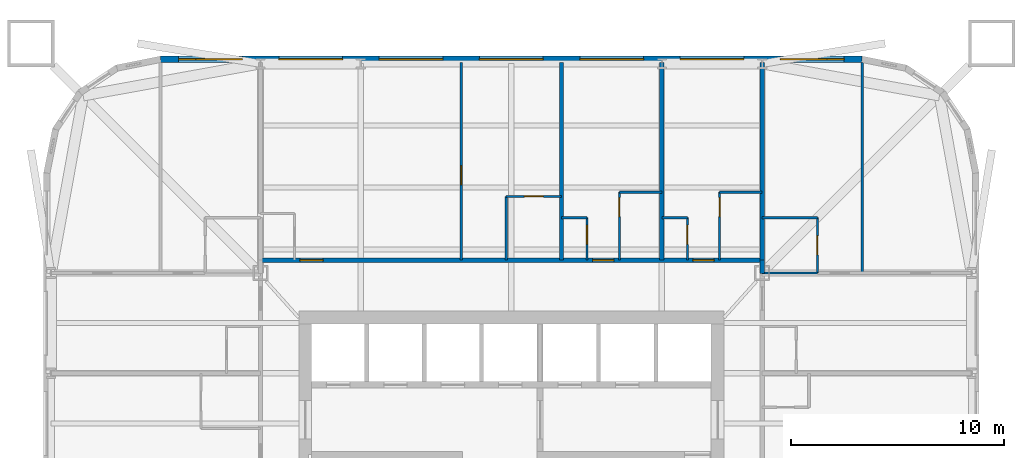
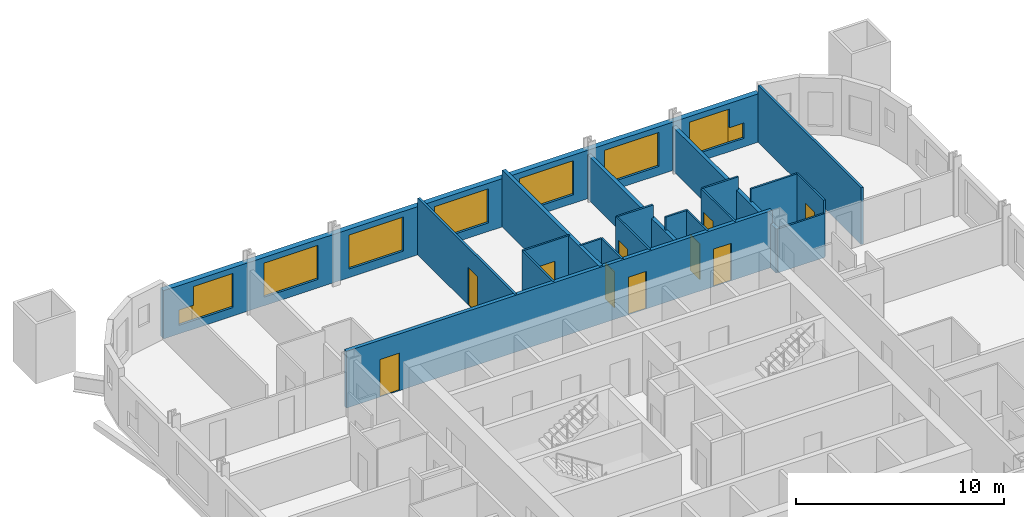
# One storey, part 8 of 10: 21 walls, 10 doors, 9 windows, 19 openings.
"""IFC4 building model written with IfcOpenShell, lengths in metres."""

from ifc_helpers import new_model, si_unit, direction, frame, frame_2d, origin, place, context, subcontext, project, spatial, rectangle, extrude, material, layer, layer_set, type_object, element, fill, save


model = new_model("IFC4")

# Units and contexts
model_context = context("Model", 3, precision=1e-05, world=origin(), true_north=direction((0.0, 1.0)))
body_context = subcontext(model_context, "Body", "Model", "MODEL_VIEW")
ifc_project = project(units=[si_unit("LENGTHUNIT", "METRE"), si_unit("AREAUNIT", "SQUARE_METRE"), si_unit("VOLUMEUNIT", "CUBIC_METRE"), si_unit("PLANEANGLEUNIT", "RADIAN"), si_unit("MASSUNIT", "GRAM", prefix="KILO")], contexts=[model_context])

# Site, building, storey
site_placement = place(None, origin())
site = spatial("IfcSite", under=ifc_project, at=site_placement, CompositionType="ELEMENT")
building_placement = place(site_placement, origin())
building = spatial("IfcBuilding", under=site, at=building_placement, Name="Turquesa Mirador Hotel Tower", CompositionType="ELEMENT")
storey_placement = place(building_placement, frame((0.0, 0.0, 32.0)))
storey = spatial("IfcBuildingStorey", under=building, at=storey_placement, Name="L07", CompositionType="ELEMENT", Elevation=32.0)

# Walls
ifc_material_1 = material(Name="Gypsum board on steel studs", Category="steel")
ifc_layer_1 = layer(ifc_material_1, 0.10009765625)
ifc_layer_set_1 = layer_set([ifc_layer_1], Name="BATHROOM WALL 100")
wall_type_1 = type_object("IfcWallType", Name="BATHROOM WALL 100", PredefinedType="PARTITIONING", material=ifc_layer_set_1)
wall_1_placement = place(storey_placement, frame((66.800048828125, 56.800048828125, 0.0), z_axis=(0.0, 0.0, 1.0), x_axis=(1.0, 0.0, 0.0)))
element("IfcWall", 1, at=wall_1_placement, inside=storey, type_object=wall_type_1, Name="Partition L07 025", PredefinedType="PARTITIONING", context=body_context, shape_type="SweptSolid", body=[
    extrude(rectangle(XDim=2.599853515625, YDim=0.10009765625, at=frame_2d((1.2998046875, 0.0))), origin(), (0.0, 0.0, 1.0), 2.572998046875),
])
for number, where, z_axis, x_axis, name in (
    (2, (57.360107421875, 59.39990234375, 0.0), (0.0, 0.0, 1.0), (1.0, 0.0, 0.0), "Partition L07 030"),
    (3, (62.080078125, 59.39990234375, 0.0), (0.0, 0.0, 1.0), (1.0, 0.0, 0.0), "Partition L07 031"),
):
    element("IfcWall", number, at=place(storey_placement, frame(where, z_axis=z_axis, x_axis=x_axis)), inside=storey, type_object=wall_type_1, Name=name, PredefinedType="PARTITIONING", context=body_context, shape_type="SweptSolid", body=[
        extrude(rectangle(XDim=1.199951171875, YDim=0.10009765625, at=frame_2d((0.60009765625, 0.0))), origin(), (0.0, 0.0, 1.0), 3.330078125),
    ])
wall_2_placement = place(storey_placement, frame((66.800048828125, 59.39990234375, 0.0), z_axis=(0.0, 0.0, 1.0), x_axis=(1.0, 0.0, 0.0)))
element("IfcWall", 4, at=wall_2_placement, inside=storey, type_object=wall_type_1, Name="Partition L07 032", PredefinedType="PARTITIONING", context=body_context, shape_type="SweptSolid", body=[
    extrude(rectangle(XDim=2.599853515625, YDim=0.10009765625, at=frame_2d((1.2998046875, 0.0))), origin(), (0.0, 0.0, 1.0), 3.330078125),
])

# Wall, opening, door
wall_3_placement = place(storey_placement, frame((54.760009765625, 60.39990234375, 0.0), z_axis=(0.0, 0.0, 1.0), x_axis=(1.0, 0.0, 0.0)))
wall_3 = element("IfcWall", 5, at=wall_3_placement, inside=storey, type_object=wall_type_1, Name="Partition L07 034", PredefinedType="PARTITIONING", context=body_context, shape_type="SweptSolid", body=[
    extrude(rectangle(XDim=2.60009765625, YDim=0.10009765625, at=frame_2d((1.300048828125, 0.0))), origin(), (0.0, 0.0, 1.0), 3.330078125),
])
opening_1_placement = place(wall_3_placement, frame((0.85009765625, 0.0, 0.0)))
opening_1 = element("IfcOpeningElement", 6, at=opening_1_placement, cuts=wall_3, Name="Opening D02", PredefinedType="OPENING", context=body_context, shape_type="SweptSolid", body=[
    extrude(rectangle(XDim=0.89990234375, YDim=2.10009765625, at=frame_2d((0.449951171875, 1.050048828125))), frame((0.0, 0.06005859375, 0.0), z_axis=(0.0, -1.0, 0.0), x_axis=(1.0, 0.0, 0.0)), (0.0, 0.0, 1.0), 0.1201171875),
])
ifc_material_2 = material(Name="Timber veneered door", Category="wood")
door_type_1 = type_object("IfcDoorType", Name="DOOR 900X2100 EN-SUITE", OperationType="SINGLE_SWING_RIGHT", PredefinedType="DOOR", material=ifc_material_2)
door_1_placement = place(opening_1_placement, origin())
door_1 = element("IfcDoor", 7, at=door_1_placement, inside=storey, type_object=door_type_1, Name="Door 0701B", OperationType="SINGLE_SWING_RIGHT", OverallHeight=2.10009765625, OverallWidth=0.89990234375, PredefinedType="DOOR", context=body_context, shape_type="SweptSolid", body=[
    extrude(rectangle(XDim=0.89990234375, YDim=2.10009765625, at=frame_2d((0.449951171875, 1.050048828125))), frame((0.0, 0.02490234375, 0.0), z_axis=(0.0, -1.0, 0.0), x_axis=(1.0, 0.0, 0.0)), (0.0, 0.0, 1.0), 0.050048828125),
])
fill(opening_1, door_1)

# Walls
for number, where, z_axis, x_axis, name in (
    (8, (60.080078125, 60.60009765625, 0.0), (0.0, 0.0, 1.0), (1.0, 0.0, 0.0), "Partition L07 035"),
    (9, (64.800048828125, 60.60009765625, 0.0), (0.0, 0.0, 1.0), (1.0, 0.0, 0.0), "Partition L07 036"),
):
    element("IfcWall", number, at=place(storey_placement, frame(where, z_axis=z_axis, x_axis=x_axis)), inside=storey, type_object=wall_type_1, Name=name, PredefinedType="PARTITIONING", context=body_context, shape_type="SweptSolid", body=[
        extrude(rectangle(XDim=2.0, YDim=0.10009765625, at=frame_2d((1.0, 0.0))), origin(), (0.0, 0.0, 1.0), 3.330078125),
    ])
wall_4_placement = place(storey_placement, frame((54.760009765625, 57.39990234375, 0.0), z_axis=(0.0, 0.0, 1.0), x_axis=(0.0, 1.0, 0.0)))
element("IfcWall", 10, at=wall_4_placement, inside=storey, type_object=wall_type_1, Name="Partition L07 045", PredefinedType="PARTITIONING", context=body_context, shape_type="SweptSolid", body=[
    extrude(rectangle(XDim=3.0, YDim=0.10009765625, at=frame_2d((1.5, 0.0))), origin(), (0.0, 0.0, 1.0), 3.330078125),
])

# Wall, opening, door
wall_5_placement = place(storey_placement, frame((69.39990234375, 56.800048828125, 0.0), z_axis=(0.0, 0.0, 1.0), x_axis=(0.0, 1.0, 0.0)))
wall_5 = element("IfcWall", 11, at=wall_5_placement, inside=storey, type_object=wall_type_1, Name="Partition L07 073", PredefinedType="PARTITIONING", context=body_context, shape_type="SweptSolid", body=[
    extrude(rectangle(XDim=2.599853515625, YDim=0.10009765625, at=frame_2d((1.2998046875, 0.0))), origin(), (0.0, 0.0, 1.0), 3.330078125),
])
opening_2_placement = place(wall_5_placement, frame((0.85009765625, 0.0, 0.0)))
opening_2 = element("IfcOpeningElement", 12, at=opening_2_placement, cuts=wall_5, Name="Opening D02", PredefinedType="OPENING", context=body_context, shape_type="SweptSolid", body=[
    extrude(rectangle(XDim=0.89990234375, YDim=2.10009765625, at=frame_2d((0.449951171875, 1.050048828125))), frame((0.0, 0.06005859375, 0.0), z_axis=(0.0, -1.0, 0.0), x_axis=(1.0, 0.0, 0.0)), (0.0, 0.0, 1.0), 0.1201171875),
])
door_2_placement = place(opening_2_placement, origin())
door_2 = element("IfcDoor", 13, at=door_2_placement, inside=storey, type_object=door_type_1, Name="Door 0712B", OperationType="SINGLE_SWING_RIGHT", OverallHeight=2.10009765625, OverallWidth=0.89990234375, PredefinedType="DOOR", context=body_context, shape_type="SweptSolid", body=[
    extrude(rectangle(XDim=0.89990234375, YDim=2.10009765625, at=frame_2d((0.449951171875, 1.050048828125))), frame((0.0, 0.02490234375, 0.0), z_axis=(0.0, -1.0, 0.0), x_axis=(1.0, 0.0, 0.0)), (0.0, 0.0, 1.0), 0.050048828125),
])
fill(opening_2, door_2)

wall_6_placement = place(storey_placement, frame((58.56005859375, 57.39990234375, 0.0), z_axis=(0.0, 0.0, 1.0), x_axis=(0.0, 1.0, 0.0)))
wall_6 = element("IfcWall", 14, at=wall_6_placement, inside=storey, type_object=wall_type_1, Name="Partition L07 080", PredefinedType="PARTITIONING", context=body_context, shape_type="SweptSolid", body=[
    extrude(rectangle(XDim=2.0, YDim=0.10009765625, at=frame_2d((1.0, 0.0))), origin(), (0.0, 0.0, 1.0), 3.330078125),
])
opening_3_placement = place(wall_6_placement, frame((0.75, 0.0, 0.0)))
opening_3 = element("IfcOpeningElement", 15, at=opening_3_placement, cuts=wall_6, Name="Opening D06", PredefinedType="OPENING", context=body_context, shape_type="SweptSolid", body=[
    extrude(rectangle(XDim=0.89990234375, YDim=2.10009765625, at=frame_2d((0.449951171875, 1.050048828125))), frame((0.0, 0.06005859375, 0.0), z_axis=(0.0, -1.0, 0.0), x_axis=(1.0, 0.0, 0.0)), (0.0, 0.0, 1.0), 0.1201171875),
])
ifc_material_3 = material(Name="Laminate door", Category="wood")
door_type_2 = type_object("IfcDoorType", Name="DOOR 900X2100 WC", OperationType="SINGLE_SWING_LEFT", PredefinedType="DOOR", material=ifc_material_3)
door_3_placement = place(opening_3_placement, origin())
door_3 = element("IfcDoor", 16, at=door_3_placement, inside=storey, type_object=door_type_2, Name="Door 0702W", OperationType="SINGLE_SWING_LEFT", OverallHeight=2.10009765625, OverallWidth=0.89990234375, PredefinedType="DOOR", context=body_context, shape_type="SweptSolid", body=[
    extrude(rectangle(XDim=0.89990234375, YDim=2.10009765625, at=frame_2d((0.449951171875, 1.050048828125))), frame((0.0, 0.02490234375, 0.0), z_axis=(0.0, -1.0, 0.0), x_axis=(1.0, 0.0, 0.0)), (0.0, 0.0, 1.0), 0.050048828125),
])
fill(opening_3, door_3)

wall_7_placement = place(storey_placement, frame((60.080078125, 57.39990234375, 0.0), z_axis=(0.0, 0.0, 1.0), x_axis=(0.0, 1.0, 0.0)))
wall_7 = element("IfcWall", 17, at=wall_7_placement, inside=storey, type_object=wall_type_1, Name="Partition L07 082", PredefinedType="PARTITIONING", context=body_context, shape_type="SweptSolid", body=[
    extrude(rectangle(XDim=3.2001953125, YDim=0.10009765625, at=frame_2d((1.60009765625, 0.0))), origin(), (0.0, 0.0, 1.0), 3.330078125),
])
opening_4_placement = place(wall_7_placement, frame((2.050048828125, 0.0, 0.0)))
opening_4 = element("IfcOpeningElement", 18, at=opening_4_placement, cuts=wall_7, Name="Opening D02", PredefinedType="OPENING", context=body_context, shape_type="SweptSolid", body=[
    extrude(rectangle(XDim=0.89990234375, YDim=2.10009765625, at=frame_2d((0.449951171875, 1.050048828125))), frame((0.0, 0.06005859375, 0.0), z_axis=(0.0, -1.0, 0.0), x_axis=(1.0, 0.0, 0.0)), (0.0, 0.0, 1.0), 0.1201171875),
])
door_4_placement = place(opening_4_placement, origin())
door_4 = element("IfcDoor", 19, at=door_4_placement, inside=storey, type_object=door_type_1, Name="Door 0702B", OperationType="SINGLE_SWING_RIGHT", OverallHeight=2.10009765625, OverallWidth=0.89990234375, PredefinedType="DOOR", context=body_context, shape_type="SweptSolid", body=[
    extrude(rectangle(XDim=0.89990234375, YDim=2.10009765625, at=frame_2d((0.449951171875, 1.050048828125))), frame((0.0, 0.02490234375, 0.0), z_axis=(0.0, -1.0, 0.0), x_axis=(1.0, 0.0, 0.0)), (0.0, 0.0, 1.0), 0.050048828125),
])
fill(opening_4, door_4)

wall_8_placement = place(storey_placement, frame((63.280029296875, 57.39990234375, 0.0), z_axis=(0.0, 0.0, 1.0), x_axis=(0.0, 1.0, 0.0)))
wall_8 = element("IfcWall", 20, at=wall_8_placement, inside=storey, type_object=wall_type_1, Name="Partition L07 085", PredefinedType="PARTITIONING", context=body_context, shape_type="SweptSolid", body=[
    extrude(rectangle(XDim=2.0, YDim=0.10009765625, at=frame_2d((1.0, 0.0))), origin(), (0.0, 0.0, 1.0), 3.330078125),
])
opening_5_placement = place(wall_8_placement, frame((0.75, 0.0, 0.0)))
opening_5 = element("IfcOpeningElement", 21, at=opening_5_placement, cuts=wall_8, Name="Opening D06", PredefinedType="OPENING", context=body_context, shape_type="SweptSolid", body=[
    extrude(rectangle(XDim=0.89990234375, YDim=2.10009765625, at=frame_2d((0.449951171875, 1.050048828125))), frame((0.0, 0.06005859375, 0.0), z_axis=(0.0, -1.0, 0.0), x_axis=(1.0, 0.0, 0.0)), (0.0, 0.0, 1.0), 0.1201171875),
])
door_5_placement = place(opening_5_placement, origin())
door_5 = element("IfcDoor", 22, at=door_5_placement, inside=storey, type_object=door_type_2, Name="Door 0703W", OperationType="SINGLE_SWING_LEFT", OverallHeight=2.10009765625, OverallWidth=0.89990234375, PredefinedType="DOOR", context=body_context, shape_type="SweptSolid", body=[
    extrude(rectangle(XDim=0.89990234375, YDim=2.10009765625, at=frame_2d((0.449951171875, 1.050048828125))), frame((0.0, 0.02490234375, 0.0), z_axis=(0.0, -1.0, 0.0), x_axis=(1.0, 0.0, 0.0)), (0.0, 0.0, 1.0), 0.050048828125),
])
fill(opening_5, door_5)

wall_9_placement = place(storey_placement, frame((64.800048828125, 57.39990234375, 0.0), z_axis=(0.0, 0.0, 1.0), x_axis=(0.0, 1.0, 0.0)))
wall_9 = element("IfcWall", 23, at=wall_9_placement, inside=storey, type_object=wall_type_1, Name="Partition L07 087", PredefinedType="PARTITIONING", context=body_context, shape_type="SweptSolid", body=[
    extrude(rectangle(XDim=3.2001953125, YDim=0.10009765625, at=frame_2d((1.60009765625, 0.0))), origin(), (0.0, 0.0, 1.0), 3.330078125),
])
opening_6_placement = place(wall_9_placement, frame((2.050048828125, 0.0, 0.0)))
opening_6 = element("IfcOpeningElement", 24, at=opening_6_placement, cuts=wall_9, Name="Opening D02", PredefinedType="OPENING", context=body_context, shape_type="SweptSolid", body=[
    extrude(rectangle(XDim=0.89990234375, YDim=2.10009765625, at=frame_2d((0.449951171875, 1.050048828125))), frame((0.0, 0.06005859375, 0.0), z_axis=(0.0, -1.0, 0.0), x_axis=(1.0, 0.0, 0.0)), (0.0, 0.0, 1.0), 0.1201171875),
])
door_6_placement = place(opening_6_placement, origin())
door_6 = element("IfcDoor", 25, at=door_6_placement, inside=storey, type_object=door_type_1, Name="Door 0703B", OperationType="SINGLE_SWING_RIGHT", OverallHeight=2.10009765625, OverallWidth=0.89990234375, PredefinedType="DOOR", context=body_context, shape_type="SweptSolid", body=[
    extrude(rectangle(XDim=0.89990234375, YDim=2.10009765625, at=frame_2d((0.449951171875, 1.050048828125))), frame((0.0, 0.02490234375, 0.0), z_axis=(0.0, -1.0, 0.0), x_axis=(1.0, 0.0, 0.0)), (0.0, 0.0, 1.0), 0.050048828125),
])
fill(opening_6, door_6)

# Wall, openings, doors
ifc_material_4 = material(Name="Fire-rated gypsum board on steel studs", Category="steel")
ifc_layer_2 = layer(ifc_material_4, 0.199951171875)
ifc_layer_set_2 = layer_set([ifc_layer_2], Name="CORRIDOR WALL 200")
wall_type_2 = type_object("IfcWallType", Name="CORRIDOR WALL 200", PredefinedType="PARTITIONING", material=ifc_layer_set_2)
wall_10_placement = place(storey_placement, frame((43.199951171875, 57.39990234375, 0.0), z_axis=(0.0, 0.0, 1.0), x_axis=(1.0, 0.0, 0.0)))
wall_10 = element("IfcWall", 26, at=wall_10_placement, inside=storey, type_object=wall_type_2, Name="Partition L07 028", PredefinedType="PARTITIONING", context=body_context, shape_type="SweptSolid", body=[
    extrude(rectangle(XDim=23.60009765625, YDim=0.199951171875, at=frame_2d((11.800048828125, 0.0))), origin(), (0.0, 0.0, 1.0), 3.330078125),
])
opening_7_placement = place(wall_10_placement, frame((1.85009765625, 0.0, 0.0)))
opening_7 = element("IfcOpeningElement", 27, at=opening_7_placement, cuts=wall_10, Name="Opening D15", PredefinedType="OPENING", context=body_context, shape_type="SweptSolid", body=[
    extrude(rectangle(XDim=1.10009765625, YDim=2.199951171875, at=frame_2d((0.550048828125, 1.10009765625))), frame((0.0, 0.10986328125, 0.0), z_axis=(0.0, -1.0, 0.0), x_axis=(1.0, 0.0, 0.0)), (0.0, 0.0, 1.0), 0.219970703125),
])
opening_8_placement = place(wall_10_placement, frame((15.6201171875, 0.0, 0.0)))
opening_8 = element("IfcOpeningElement", 28, at=opening_8_placement, cuts=wall_10, Name="Opening D01", PredefinedType="OPENING", context=body_context, shape_type="SweptSolid", body=[
    extrude(rectangle(XDim=1.0, YDim=2.199951171875, at=frame_2d((0.5, 1.10009765625))), frame((0.0, 0.10986328125, 0.0), z_axis=(0.0, -1.0, 0.0), x_axis=(1.0, 0.0, 0.0)), (0.0, 0.0, 1.0), 0.219970703125),
])
opening_9_placement = place(wall_10_placement, frame((20.340087890625, 0.0, 0.0)))
opening_9 = element("IfcOpeningElement", 29, at=opening_9_placement, cuts=wall_10, Name="Opening D01", PredefinedType="OPENING", context=body_context, shape_type="SweptSolid", body=[
    extrude(rectangle(XDim=1.0, YDim=2.199951171875, at=frame_2d((0.5, 1.10009765625))), frame((0.0, 0.10986328125, 0.0), z_axis=(0.0, -1.0, 0.0), x_axis=(1.0, 0.0, 0.0)), (0.0, 0.0, 1.0), 0.219970703125),
])
ifc_material_5 = material(Name="Timber veneered fire door", Category="wood")
door_type_3 = type_object("IfcDoorType", Name="DOOR 1000X2200 GUEST ENTRY", OperationType="SINGLE_SWING_LEFT", PredefinedType="DOOR", material=ifc_material_5)
door_7_placement = place(opening_8_placement, origin())
door_7 = element("IfcDoor", 30, at=door_7_placement, inside=storey, type_object=door_type_3, Name="Door 0702", OperationType="SINGLE_SWING_LEFT", OverallHeight=2.199951171875, OverallWidth=1.0, PredefinedType="DOOR", context=body_context, shape_type="SweptSolid", body=[
    extrude(rectangle(XDim=1.0, YDim=2.199951171875, at=frame_2d((0.5, 1.10009765625))), frame((0.0, 0.02490234375, 0.0), z_axis=(0.0, -1.0, 0.0), x_axis=(1.0, 0.0, 0.0)), (0.0, 0.0, 1.0), 0.050048828125),
])
fill(opening_8, door_7)
door_8_placement = place(opening_9_placement, origin())
door_8 = element("IfcDoor", 31, at=door_8_placement, inside=storey, type_object=door_type_3, Name="Door 0703", OperationType="SINGLE_SWING_LEFT", OverallHeight=2.199951171875, OverallWidth=1.0, PredefinedType="DOOR", context=body_context, shape_type="SweptSolid", body=[
    extrude(rectangle(XDim=1.0, YDim=2.199951171875, at=frame_2d((0.5, 1.10009765625))), frame((0.0, 0.02490234375, 0.0), z_axis=(0.0, -1.0, 0.0), x_axis=(1.0, 0.0, 0.0)), (0.0, 0.0, 1.0), 0.050048828125),
])
fill(opening_9, door_8)
ifc_material_6 = material(Name="Timber veneered fire door", Category="wood")
door_type_4 = type_object("IfcDoorType", Name="DOOR 1100X2200 SUITE ENTRY", OperationType="SINGLE_SWING_LEFT", PredefinedType="DOOR", material=ifc_material_6)
door_9_placement = place(opening_7_placement, origin())
door_9 = element("IfcDoor", 32, at=door_9_placement, inside=storey, type_object=door_type_4, Name="Door 0701", OperationType="SINGLE_SWING_LEFT", OverallHeight=2.199951171875, OverallWidth=1.10009765625, PredefinedType="DOOR", context=body_context, shape_type="SweptSolid", body=[
    extrude(rectangle(XDim=1.10009765625, YDim=2.199951171875, at=frame_2d((0.550048828125, 1.10009765625))), frame((0.0, 0.02490234375, 0.0), z_axis=(0.0, -1.0, 0.0), x_axis=(1.0, 0.0, 0.0)), (0.0, 0.0, 1.0), 0.050048828125),
])
fill(opening_7, door_9)

# Wall
wall_11_placement = place(storey_placement, frame((66.800048828125, 56.780029296875, 0.0), z_axis=(0.0, 0.0, 1.0), x_axis=(0.0, 1.0, 0.0)))
element("IfcWall", 33, at=wall_11_placement, inside=storey, type_object=wall_type_2, Name="Partition L07 091", PredefinedType="PARTITIONING", context=body_context, shape_type="SweptSolid", body=[
    extrude(rectangle(XDim=0.619873046875, YDim=0.199951171875, at=frame_2d((0.31005859375, 0.0))), origin(), (0.0, 0.0, 1.0), 2.572998046875),
])

# Wall, openings, windows
ifc_material_7 = material(Name="Limestone cladding on concrete block", Category="masonry")
ifc_layer_3 = layer(ifc_material_7, 0.300048828125)
ifc_layer_set_3 = layer_set([ifc_layer_3], Name="FACADE WALL 300 STONE SCREEN")
wall_type_3 = type_object("IfcWallType", Name="FACADE WALL 300 STONE SCREEN", PredefinedType="SOLIDWALL", material=ifc_layer_set_3)
wall_12_placement = place(storey_placement, frame((71.5, 66.85009765625, 0.0), z_axis=(0.0, 0.0, 1.0), x_axis=(-1.0, 0.0, 0.0)))
wall_12 = element("IfcWall", 34, at=wall_12_placement, inside=storey, type_object=wall_type_3, Name="Facade wall L07 09", PredefinedType="SOLIDWALL", context=body_context, shape_type="SweptSolid", body=[
    extrude(rectangle(XDim=33.0, YDim=0.300048828125, at=frame_2d((16.5, 0.0))), origin(), (0.0, 0.0, 1.0), 2.830078125),
])
opening_10_placement = place(wall_12_placement, frame((1.64990234375, 0.0, 0.5)))
opening_10 = element("IfcOpeningElement", 35, at=opening_10_placement, cuts=wall_12, Name="Opening WN50", PredefinedType="OPENING", context=body_context, shape_type="SweptSolid", body=[
    extrude(rectangle(XDim=2.199951171875, YDim=2.0, at=frame_2d((1.10009765625, 1.0))), frame((0.0, 0.159912109375, 0.0), z_axis=(0.0, -1.0, 0.0), x_axis=(1.0, 0.0, 0.0)), (0.0, 0.0, 1.0), 0.320068359375),
])
opening_11_placement = place(wall_12_placement, frame((5.56005859375, 0.0, 0.5)))
opening_11 = element("IfcOpeningElement", 36, at=opening_11_placement, cuts=wall_12, Name="Opening WN1", PredefinedType="OPENING", context=body_context, shape_type="SweptSolid", body=[
    extrude(rectangle(XDim=3.0, YDim=2.0, at=frame_2d((1.5, 1.0))), frame((0.0, 0.159912109375, 0.0), z_axis=(0.0, -1.0, 0.0), x_axis=(1.0, 0.0, 0.0)), (0.0, 0.0, 1.0), 0.320068359375),
])
opening_12_placement = place(wall_12_placement, frame((10.280029296875, 0.0, 0.5)))
opening_12 = element("IfcOpeningElement", 37, at=opening_12_placement, cuts=wall_12, Name="Opening WN1", PredefinedType="OPENING", context=body_context, shape_type="SweptSolid", body=[
    extrude(rectangle(XDim=3.0, YDim=2.0, at=frame_2d((1.5, 1.0))), frame((0.0, 0.159912109375, 0.0), z_axis=(0.0, -1.0, 0.0), x_axis=(1.0, 0.0, 0.0)), (0.0, 0.0, 1.0), 0.320068359375),
])
opening_13_placement = place(wall_12_placement, frame((15.0, 0.0, 0.5)))
opening_13 = element("IfcOpeningElement", 38, at=opening_13_placement, cuts=wall_12, Name="Opening WN1", PredefinedType="OPENING", context=body_context, shape_type="SweptSolid", body=[
    extrude(rectangle(XDim=3.0, YDim=2.0, at=frame_2d((1.5, 1.0))), frame((0.0, 0.159912109375, 0.0), z_axis=(0.0, -1.0, 0.0), x_axis=(1.0, 0.0, 0.0)), (0.0, 0.0, 1.0), 0.320068359375),
])
opening_14_placement = place(wall_12_placement, frame((19.719970703125, 0.0, 0.5)))
opening_14 = element("IfcOpeningElement", 39, at=opening_14_placement, cuts=wall_12, Name="Opening WN1", PredefinedType="OPENING", context=body_context, shape_type="SweptSolid", body=[
    extrude(rectangle(XDim=3.0, YDim=2.0, at=frame_2d((1.5, 1.0))), frame((0.0, 0.159912109375, 0.0), z_axis=(0.0, -1.0, 0.0), x_axis=(1.0, 0.0, 0.0)), (0.0, 0.0, 1.0), 0.320068359375),
])
opening_15_placement = place(wall_12_placement, frame((24.43994140625, 0.0, 0.5)))
opening_15 = element("IfcOpeningElement", 40, at=opening_15_placement, cuts=wall_12, Name="Opening WN1", PredefinedType="OPENING", context=body_context, shape_type="SweptSolid", body=[
    extrude(rectangle(XDim=3.0, YDim=2.0, at=frame_2d((1.5, 1.0))), frame((0.0, 0.159912109375, 0.0), z_axis=(0.0, -1.0, 0.0), x_axis=(1.0, 0.0, 0.0)), (0.0, 0.0, 1.0), 0.320068359375),
])
opening_16_placement = place(wall_12_placement, frame((29.14990234375, 0.0, 0.5)))
opening_16 = element("IfcOpeningElement", 41, at=opening_16_placement, cuts=wall_12, Name="Opening WN50", PredefinedType="OPENING", context=body_context, shape_type="SweptSolid", body=[
    extrude(rectangle(XDim=2.199951171875, YDim=2.0, at=frame_2d((1.10009765625, 1.0))), frame((0.0, 0.159912109375, 0.0), z_axis=(0.0, -1.0, 0.0), x_axis=(1.0, 0.0, 0.0)), (0.0, 0.0, 1.0), 0.320068359375),
])
opening_17_placement = place(wall_12_placement, frame((0.85009765625, 0.0, 0.5)))
opening_17 = element("IfcOpeningElement", 42, at=opening_17_placement, cuts=wall_12, Name="Opening WN35", PredefinedType="OPENING", context=body_context, shape_type="SweptSolid", body=[
    extrude(rectangle(XDim=0.800048828125, YDim=0.89990234375, at=frame_2d((0.39990234375, 0.449951171875))), frame((0.0, 0.159912109375, 0.0), z_axis=(0.0, -1.0, 0.0), x_axis=(1.0, 0.0, 0.0)), (0.0, 0.0, 1.0), 0.320068359375),
])
opening_18_placement = place(wall_12_placement, frame((31.35009765625, 0.0, 0.5)))
opening_18 = element("IfcOpeningElement", 43, at=opening_18_placement, cuts=wall_12, Name="Opening WN35", PredefinedType="OPENING", context=body_context, shape_type="SweptSolid", body=[
    extrude(rectangle(XDim=0.800048828125, YDim=0.89990234375, at=frame_2d((0.39990234375, 0.449951171875))), frame((0.0, 0.159912109375, 0.0), z_axis=(0.0, -1.0, 0.0), x_axis=(1.0, 0.0, 0.0)), (0.0, 0.0, 1.0), 0.320068359375),
])
ifc_material_8 = material(Name="Ceramic-fritted laminated glass", Category="glass")
window_type_1 = type_object("IfcWindowType", Name="FRITTED WINDOW 2200X2000", PartitioningType="DOUBLE_PANEL_HORIZONTAL", PredefinedType="WINDOW", material=ifc_material_8)
window_1_placement = place(opening_10_placement, origin())
window_1 = element("IfcWindow", 44, at=window_1_placement, inside=storey, type_object=window_type_1, Name="Window L07", OverallHeight=2.0, OverallWidth=2.199951171875, PartitioningType="SINGLE_PANEL", PredefinedType="WINDOW", context=body_context, shape_type="SweptSolid", body=[
    extrude(rectangle(XDim=2.199951171875, YDim=2.0, at=frame_2d((1.10009765625, 1.0))), frame((0.0, 0.030029296875, 0.0), z_axis=(0.0, -1.0, 0.0), x_axis=(1.0, 0.0, 0.0)), (0.0, 0.0, 1.0), 0.06005859375),
])
fill(opening_10, window_1)
window_2_placement = place(opening_16_placement, origin())
window_2 = element("IfcWindow", 45, at=window_2_placement, inside=storey, type_object=window_type_1, Name="Window L07", OverallHeight=2.0, OverallWidth=2.199951171875, PartitioningType="SINGLE_PANEL", PredefinedType="WINDOW", context=body_context, shape_type="SweptSolid", body=[
    extrude(rectangle(XDim=2.199951171875, YDim=2.0, at=frame_2d((1.10009765625, 1.0))), frame((0.0, 0.030029296875, 0.0), z_axis=(0.0, -1.0, 0.0), x_axis=(1.0, 0.0, 0.0)), (0.0, 0.0, 1.0), 0.06005859375),
])
fill(opening_16, window_2)
ifc_material_9 = material(Name="Ceramic-fritted laminated glass", Category="glass")
window_type_2 = type_object("IfcWindowType", Name="FRITTED WINDOW 3000X2000", PartitioningType="DOUBLE_PANEL_HORIZONTAL", PredefinedType="WINDOW", material=ifc_material_9)
window_3_placement = place(opening_11_placement, origin())
window_3 = element("IfcWindow", 46, at=window_3_placement, inside=storey, type_object=window_type_2, Name="Window L07", OverallHeight=2.0, OverallWidth=3.0, PartitioningType="SINGLE_PANEL", PredefinedType="WINDOW", context=body_context, shape_type="SweptSolid", body=[
    extrude(rectangle(XDim=3.0, YDim=2.0, at=frame_2d((1.5, 1.0))), frame((0.0, 0.030029296875, 0.0), z_axis=(0.0, -1.0, 0.0), x_axis=(1.0, 0.0, 0.0)), (0.0, 0.0, 1.0), 0.06005859375),
])
fill(opening_11, window_3)
window_4_placement = place(opening_12_placement, origin())
window_4 = element("IfcWindow", 47, at=window_4_placement, inside=storey, type_object=window_type_2, Name="Window L07", OverallHeight=2.0, OverallWidth=3.0, PartitioningType="SINGLE_PANEL", PredefinedType="WINDOW", context=body_context, shape_type="SweptSolid", body=[
    extrude(rectangle(XDim=3.0, YDim=2.0, at=frame_2d((1.5, 1.0))), frame((0.0, 0.030029296875, 0.0), z_axis=(0.0, -1.0, 0.0), x_axis=(1.0, 0.0, 0.0)), (0.0, 0.0, 1.0), 0.06005859375),
])
fill(opening_12, window_4)
window_5_placement = place(opening_13_placement, origin())
window_5 = element("IfcWindow", 48, at=window_5_placement, inside=storey, type_object=window_type_2, Name="Window L07", OverallHeight=2.0, OverallWidth=3.0, PartitioningType="SINGLE_PANEL", PredefinedType="WINDOW", context=body_context, shape_type="SweptSolid", body=[
    extrude(rectangle(XDim=3.0, YDim=2.0, at=frame_2d((1.5, 1.0))), frame((0.0, 0.030029296875, 0.0), z_axis=(0.0, -1.0, 0.0), x_axis=(1.0, 0.0, 0.0)), (0.0, 0.0, 1.0), 0.06005859375),
])
fill(opening_13, window_5)
window_6_placement = place(opening_14_placement, origin())
window_6 = element("IfcWindow", 49, at=window_6_placement, inside=storey, type_object=window_type_2, Name="Window L07", OverallHeight=2.0, OverallWidth=3.0, PartitioningType="SINGLE_PANEL", PredefinedType="WINDOW", context=body_context, shape_type="SweptSolid", body=[
    extrude(rectangle(XDim=3.0, YDim=2.0, at=frame_2d((1.5, 1.0))), frame((0.0, 0.030029296875, 0.0), z_axis=(0.0, -1.0, 0.0), x_axis=(1.0, 0.0, 0.0)), (0.0, 0.0, 1.0), 0.06005859375),
])
fill(opening_14, window_6)
window_7_placement = place(opening_15_placement, origin())
window_7 = element("IfcWindow", 50, at=window_7_placement, inside=storey, type_object=window_type_2, Name="Window L07", OverallHeight=2.0, OverallWidth=3.0, PartitioningType="SINGLE_PANEL", PredefinedType="WINDOW", context=body_context, shape_type="SweptSolid", body=[
    extrude(rectangle(XDim=3.0, YDim=2.0, at=frame_2d((1.5, 1.0))), frame((0.0, 0.030029296875, 0.0), z_axis=(0.0, -1.0, 0.0), x_axis=(1.0, 0.0, 0.0)), (0.0, 0.0, 1.0), 0.06005859375),
])
fill(opening_15, window_7)
ifc_material_10 = material(Name="Ceramic-fritted laminated glass", Category="glass")
window_type_3 = type_object("IfcWindowType", Name="FRITTED WINDOW 800X900", PartitioningType="DOUBLE_PANEL_HORIZONTAL", PredefinedType="WINDOW", material=ifc_material_10)
window_8_placement = place(opening_17_placement, origin())
window_8 = element("IfcWindow", 51, at=window_8_placement, inside=storey, type_object=window_type_3, Name="Window L07", OverallHeight=0.89990234375, OverallWidth=0.800048828125, PartitioningType="SINGLE_PANEL", PredefinedType="WINDOW", context=body_context, shape_type="SweptSolid", body=[
    extrude(rectangle(XDim=0.800048828125, YDim=0.89990234375, at=frame_2d((0.39990234375, 0.449951171875))), frame((0.0, 0.030029296875, 0.0), z_axis=(0.0, -1.0, 0.0), x_axis=(1.0, 0.0, 0.0)), (0.0, 0.0, 1.0), 0.06005859375),
])
fill(opening_17, window_8)
window_9_placement = place(opening_18_placement, origin())
window_9 = element("IfcWindow", 52, at=window_9_placement, inside=storey, type_object=window_type_3, Name="Window L07", OverallHeight=0.89990234375, OverallWidth=0.800048828125, PartitioningType="SINGLE_PANEL", PredefinedType="WINDOW", context=body_context, shape_type="SweptSolid", body=[
    extrude(rectangle(XDim=0.800048828125, YDim=0.89990234375, at=frame_2d((0.39990234375, 0.449951171875))), frame((0.0, 0.030029296875, 0.0), z_axis=(0.0, -1.0, 0.0), x_axis=(1.0, 0.0, 0.0)), (0.0, 0.0, 1.0), 0.06005859375),
])
fill(opening_18, window_9)

# Walls
ifc_material_11 = material(Name="Fire-rated gypsum board on steel studs", Category="steel")
ifc_layer_4 = layer(ifc_material_11, 0.199951171875)
ifc_layer_set_4 = layer_set([ifc_layer_4], Name="PARTY WALL 200")
wall_type_4 = type_object("IfcWallType", Name="PARTY WALL 200", PredefinedType="PARTITIONING", material=ifc_layer_set_4)
wall_13_placement = place(storey_placement, frame((66.800048828125, 57.39990234375, 0.0), z_axis=(0.0, 0.0, 1.0), x_axis=(0.0, 1.0, 0.0)))
element("IfcWall", 53, at=wall_13_placement, inside=storey, type_object=wall_type_4, Name="Partition L07 068", PredefinedType="PARTITIONING", context=body_context, shape_type="SweptSolid", body=[
    extrude(rectangle(XDim=9.300048828125, YDim=0.199951171875, at=frame_2d((4.64990234375, 0.0))), origin(), (0.0, 0.0, 1.0), 2.572998046875),
])
wall_14_placement = place(storey_placement, frame((57.360107421875, 57.39990234375, 0.0), z_axis=(0.0, 0.0, 1.0), x_axis=(0.0, 1.0, 0.0)))
element("IfcWall", 54, at=wall_14_placement, inside=storey, type_object=wall_type_4, Name="Partition L07 079", PredefinedType="PARTITIONING", context=body_context, shape_type="SweptSolid", body=[
    extrude(rectangle(XDim=9.300048828125, YDim=0.199951171875, at=frame_2d((4.64990234375, 0.0))), origin(), (0.0, 0.0, 1.0), 3.330078125),
])
wall_15_placement = place(storey_placement, frame((62.080078125, 57.39990234375, 0.0), z_axis=(0.0, 0.0, 1.0), x_axis=(0.0, 1.0, 0.0)))
element("IfcWall", 55, at=wall_15_placement, inside=storey, type_object=wall_type_4, Name="Partition L07 084", PredefinedType="PARTITIONING", context=body_context, shape_type="SweptSolid", body=[
    extrude(rectangle(XDim=9.300048828125, YDim=0.199951171875, at=frame_2d((4.64990234375, 0.0))), origin(), (0.0, 0.0, 1.0), 2.572998046875),
])

# Wall, opening, door
ifc_material_12 = material(Name="Acoustic gypsum board on steel studs", Category="steel")
ifc_layer_5 = layer(ifc_material_12, 0.125)
ifc_layer_set_5 = layer_set([ifc_layer_5], Name="SUITE PARTITION 125")
wall_type_5 = type_object("IfcWallType", Name="SUITE PARTITION 125", PredefinedType="PARTITIONING", material=ifc_layer_set_5)
wall_16_placement = place(storey_placement, frame((52.639892578125, 57.39990234375, 0.0), z_axis=(0.0, 0.0, 1.0), x_axis=(0.0, 1.0, 0.0)))
wall_16 = element("IfcWall", 56, at=wall_16_placement, inside=storey, type_object=wall_type_5, Name="Partition L07 065", PredefinedType="PARTITIONING", context=body_context, shape_type="SweptSolid", body=[
    extrude(rectangle(XDim=9.300048828125, YDim=0.125, at=frame_2d((4.64990234375, 0.0))), origin(), (0.0, 0.0, 1.0), 3.330078125),
])
opening_19_placement = place(wall_16_placement, frame((3.550048828125, 0.0, 0.0)))
opening_19 = element("IfcOpeningElement", 57, at=opening_19_placement, cuts=wall_16, Name="Opening D17", PredefinedType="OPENING", context=body_context, shape_type="SweptSolid", body=[
    extrude(rectangle(XDim=0.89990234375, YDim=2.199951171875, at=frame_2d((0.449951171875, 1.10009765625))), frame((0.0, 0.072509765625, 0.0), z_axis=(0.0, -1.0, 0.0), x_axis=(1.0, 0.0, 0.0)), (0.0, 0.0, 1.0), 0.14501953125),
])
ifc_material_13 = material(Name="Timber veneered door", Category="wood")
door_type_5 = type_object("IfcDoorType", Name="DOOR 900X2200 SUITE INTERNAL", OperationType="SINGLE_SWING_LEFT", PredefinedType="DOOR", material=ifc_material_13)
door_10_placement = place(opening_19_placement, origin())
door_10 = element("IfcDoor", 58, at=door_10_placement, inside=storey, type_object=door_type_5, Name="Door 0701R", OperationType="SINGLE_SWING_LEFT", OverallHeight=2.199951171875, OverallWidth=0.89990234375, PredefinedType="DOOR", context=body_context, shape_type="SweptSolid", body=[
    extrude(rectangle(XDim=0.89990234375, YDim=2.199951171875, at=frame_2d((0.449951171875, 1.10009765625))), frame((0.0, 0.02490234375, 0.0), z_axis=(0.0, -1.0, 0.0), x_axis=(1.0, 0.0, 0.0)), (0.0, 0.0, 1.0), 0.050048828125),
])
fill(opening_19, door_10)

# Wall
wall_17_placement = place(storey_placement, frame((71.5, 56.800048828125, 0.0), z_axis=(0.0, 0.0, 1.0), x_axis=(0.0, 1.0, 0.0)))
element("IfcWall", 59, at=wall_17_placement, inside=storey, type_object=wall_type_5, Name="Partition L07 077", PredefinedType="PARTITIONING", context=body_context, shape_type="SweptSolid", body=[
    extrude(rectangle(XDim=9.89404296875, YDim=0.125, at=frame_2d((4.947021484375, 0.0))), origin(), (0.0, 0.0, 1.0), 3.330078125),
])

save(model, "model.ifc")
